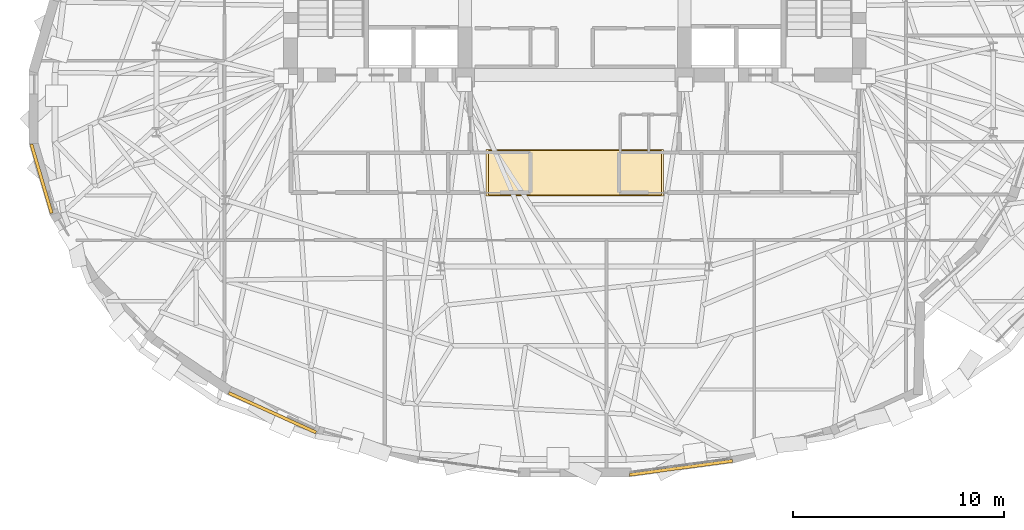
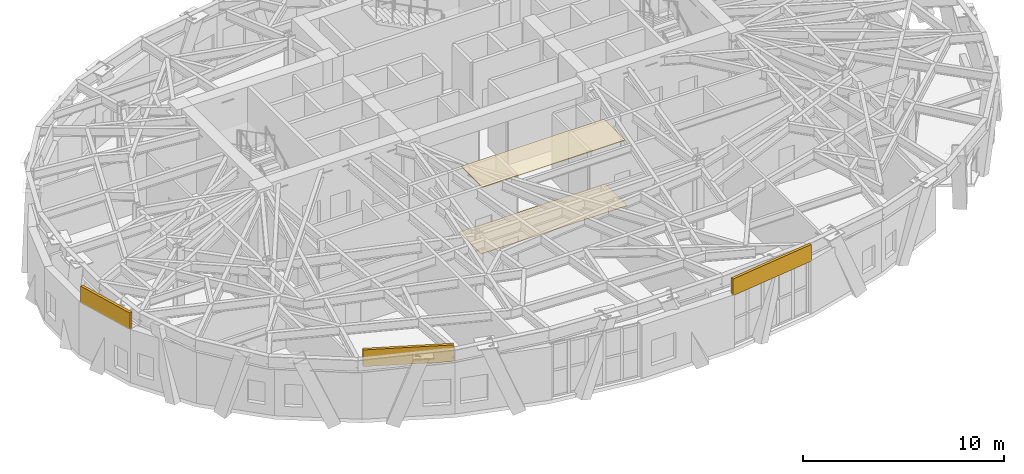
# One storey, part 13 of 16: 5 coverings.
"""IFC4 building model written with IfcOpenShell, lengths in metres."""

import ifcopenshell
import ifcopenshell.guid

model = None  # the IFC model being written
_history = None  # IfcOwnerHistory: only IFC2X3 demands one
_inside = {}  # id of a spatial element -> (the spatial element, [elements in it])
_under = {}  # id of a project, library or spatial element -> (it, [spatial elements below it])
_declared = {}  # id of a project -> (the project, [libraries it declares])
_typed = {}  # id of a type object -> (the type object, [elements of that type])
_made_of = {}  # id of a material, layer set ... -> (it, [elements and type objects made of it])


def new_model(schema):
    """Start an empty IFC model of exactly this schema.

    Asked for "IFC4X3", IfcOpenShell would pick the latest addendum, in which some entities
    have other attributes; the version numbers below select the first issue.
    IFC2X3 requires an IfcOwnerHistory on every rooted entity: one is made here for all.
    """
    global model, _history
    if schema == "IFC4X3":
        model = ifcopenshell.file(schema_version=(4, 3, 0, 0))
    else:
        model = ifcopenshell.file(schema=schema)
    _inside.clear()
    _under.clear()
    _declared.clear()
    _typed.clear()
    _made_of.clear()
    _history = None
    if model.schema == "IFC2X3":
        org = make("IfcOrganization", Name="unknown")
        user = make(
            "IfcPersonAndOrganization",
            ThePerson=make("IfcPerson", FamilyName="unknown"),
            TheOrganization=org,
        )
        app = make(
            "IfcApplication",
            ApplicationDeveloper=org,
            Version="unknown",
            ApplicationFullName="unknown",
            ApplicationIdentifier="unknown",
        )
        _history = make(
            "IfcOwnerHistory",
            OwningUser=user,
            OwningApplication=app,
            ChangeAction="ADDED",
            CreationDate=0,
        )
    return model


def make(cls, **values):
    """One entity of the class cls with the attributes given. An attribute that is None is left unset."""
    return model.create_entity(
        cls, **{name: value for name, value in values.items() if value is not None}
    )


def rooted(cls, **values):
    """An entity with a GlobalId (a new one), such as an element, a storey or a relation."""
    return make(cls, GlobalId=ifcopenshell.guid.new(), OwnerHistory=_history, **values)


def si_unit(unit_type, name, prefix=None):
    """IfcSIUnit, for example si_unit("LENGTHUNIT", "METRE", prefix="MILLI")."""
    return make("IfcSIUnit", UnitType=unit_type, Prefix=prefix, Name=name)


def assignment(units):
    """IfcUnitAssignment: the units of a project."""
    return None if units is None else make("IfcUnitAssignment", Units=units)


def point(xyz):
    """IfcCartesianPoint."""
    return None if xyz is None else make("IfcCartesianPoint", Coordinates=xyz)


def direction(xyz):
    """IfcDirection."""
    return None if xyz is None else make("IfcDirection", DirectionRatios=xyz)


def frame(location, z_axis=None, x_axis=None):
    """IfcAxis2Placement3D, a coordinate frame: its origin and axes. An axis left out is left unset."""
    return make(
        "IfcAxis2Placement3D",
        Location=point(location),
        Axis=direction(z_axis),
        RefDirection=direction(x_axis),
    )


def frame_2d(location, x_axis=None):
    """IfcAxis2Placement2D, a coordinate frame in the plane: its origin and x axis."""
    return make(
        "IfcAxis2Placement2D", Location=point(location), RefDirection=direction(x_axis)
    )


def origin():
    """The frame at (0, 0, 0) with its axes left unset."""
    return frame((0.0, 0.0, 0.0))


def origin_2d():
    """The frame at (0, 0) in the plane with its x axis left unset."""
    return frame_2d((0.0, 0.0))


def place(relative_to, where):
    """IfcLocalPlacement: puts the frame where relative to a parent placement (None: the world)."""
    return make(
        "IfcLocalPlacement", PlacementRelTo=relative_to, RelativePlacement=where
    )


def context(
    kind, dimensions, precision=None, world=None, true_north=None, identifier=None
):
    """IfcGeometricRepresentationContext, for example the 3D "Model" context."""
    return make(
        "IfcGeometricRepresentationContext",
        ContextIdentifier=identifier,
        ContextType=kind,
        CoordinateSpaceDimension=dimensions,
        Precision=precision,
        WorldCoordinateSystem=world,
        TrueNorth=true_north,
    )


def subcontext(parent, identifier, kind, view, scale=None):
    """IfcGeometricRepresentationSubContext, for example "Body" below "Model"."""
    return make(
        "IfcGeometricRepresentationSubContext",
        ContextIdentifier=identifier,
        ContextType=kind,
        ParentContext=parent,
        TargetScale=scale,
        TargetView=view,
    )


def project(units=None, contexts=None):
    """IfcProject with its units and contexts."""
    return rooted(
        "IfcProject",
        Name="project",
        RepresentationContexts=contexts,
        UnitsInContext=assignment(units),
    )


def spatial(cls, under=None, at=None, **own):
    """A site, building, storey or space (cls), placed at a placement, below another one or the project."""
    s = rooted(cls, ObjectPlacement=at, **own)
    if under is not None:
        _under.setdefault(under.id(), (under, []))[1].append(s)
    return s


def profile(cls, at=None, kind="AREA", **sizes):
    """A parametric profile (cls). Its sizes go by their IFC names, for example OverallWidth=200.0."""
    return make(cls, ProfileType=kind, Position=at, **sizes)


def rectangle(**sizes):
    """IfcRectangleProfileDef."""
    return profile("IfcRectangleProfileDef", **sizes)


def extrude(swept, where, along, depth):
    """IfcExtrudedAreaSolid: the profile swept, set in the frame where, extruded along a direction by depth."""
    return make(
        "IfcExtrudedAreaSolid",
        SweptArea=swept,
        Position=where,
        ExtrudedDirection=direction(along),
        Depth=depth,
    )


def shape(context_of_items, identifier, shape_type, items):
    """IfcShapeRepresentation: the items that make up one representation, for example the "Body"."""
    return make(
        "IfcShapeRepresentation",
        ContextOfItems=context_of_items,
        RepresentationIdentifier=identifier,
        RepresentationType=shape_type,
        Items=items,
    )


def material(Name=None, Category=None):
    """IfcMaterial."""
    return make("IfcMaterial", Name=Name, Category=Category)


def layer(
    of_material, thickness, ventilated=None, Name=None, Category=None, Priority=None
):
    """IfcMaterialLayer: one layer of a wall or slab, of a material (None: an air gap)."""
    return make(
        "IfcMaterialLayer",
        Material=of_material,
        LayerThickness=thickness,
        IsVentilated=ventilated,
        Name=Name,
        Category=Category,
        Priority=Priority,
    )


def layer_set(layers, Name=None):
    """IfcMaterialLayerSet."""
    return make("IfcMaterialLayerSet", MaterialLayers=layers, LayerSetName=Name)


def made_of(thing, what):
    """Note that an element or type object is made of a material, layer set ...; save() writes the relation."""
    if what is not None:
        _made_of.setdefault(what.id(), (what, []))[1].append(thing)
    return thing


def type_object(cls, material=None, **own):
    """A type object (cls), such as IfcWallType, which elements share."""
    return made_of(rooted(cls, **own), material)


def element(
    cls,
    number,
    at=None,
    inside=None,
    cuts=None,
    type_object=None,
    material=None,
    context=None,
    identifier="Body",
    shape_type=None,
    held_by="IfcProductDefinitionShape",
    body=None,
    shapes=None,
    **own,
):
    """One element of the class cls, such as IfcWall. Its Tag is "e" and its number.

    at: its placement. inside: the storey or other place that contains it. cuts: it is an
    opening in that element (IfcRelVoidsElement). A single representation is given by context,
    identifier, shape_type and body (its items); several are given by shapes. held_by: the class
    of the entity that holds the representations. save() writes the other relations.
    """
    e = rooted(cls, Tag="e%d" % number, ObjectPlacement=at, **own)
    if body is not None:
        shapes = [shape(context, identifier, shape_type, body)]
    if shapes is not None:
        e.Representation = make(held_by, Representations=shapes)
    if inside is not None:
        _inside.setdefault(inside.id(), (inside, []))[1].append(e)
    if cuts is not None:
        rooted(
            "IfcRelVoidsElement", RelatingBuildingElement=cuts, RelatedOpeningElement=e
        )
    if type_object is not None:
        _typed.setdefault(type_object.id(), (type_object, []))[1].append(e)
    return made_of(e, material)


def aggregate(whole, parts):
    """IfcRelAggregates: a whole, such as a stair, and the parts it consists of."""
    return rooted("IfcRelAggregates", RelatingObject=whole, RelatedObjects=parts)


def save(model, path):
    """Write the relations noted so far, then the file.

    IfcRelAggregates (storeys below a building ...), IfcRelContainedInSpatialStructure (elements
    in a storey), IfcRelDefinesByType, IfcRelAssociatesMaterial and IfcRelDeclares: one each for
    every whole, place, type object, material and project.
    """
    for whole, parts in _under.values():
        aggregate(whole, parts)
    for where, things in _inside.values():
        rooted(
            "IfcRelContainedInSpatialStructure",
            RelatedElements=things,
            RelatingStructure=where,
        )
    for kind, things in _typed.values():
        rooted("IfcRelDefinesByType", RelatedObjects=things, RelatingType=kind)
    for what, things in _made_of.values():
        rooted("IfcRelAssociatesMaterial", RelatedObjects=things, RelatingMaterial=what)
    for by, libraries in _declared.values():
        rooted("IfcRelDeclares", RelatingContext=by, RelatedDefinitions=libraries)
    model.write(path)


model = new_model("IFC4")

# Units and contexts
model_context = context("Model", 3, precision=1e-05, world=origin(), true_north=direction((0.0, 1.0)))
body_context = subcontext(model_context, "Body", "Model", "MODEL_VIEW")
ifc_project = project(units=[si_unit("LENGTHUNIT", "METRE"), si_unit("AREAUNIT", "SQUARE_METRE"), si_unit("VOLUMEUNIT", "CUBIC_METRE"), si_unit("PLANEANGLEUNIT", "RADIAN"), si_unit("MASSUNIT", "GRAM", prefix="KILO")], contexts=[model_context])

# Site, building, storey
site_placement = place(None, origin())
site = spatial("IfcSite", under=ifc_project, at=site_placement, CompositionType="ELEMENT")
building_placement = place(site_placement, origin())
building = spatial("IfcBuilding", under=site, at=building_placement, Name="Keldmark Tower", CompositionType="ELEMENT")
storey_placement = place(building_placement, frame((0.0, 0.0, 139.60009765625)))
storey = spatial("IfcBuildingStorey", under=building, at=storey_placement, Name="L37", CompositionType="ELEMENT", Elevation=139.60009765625)

# Coverings
ifc_material_1 = material(Name="Honed Kasota Buff Dolomitic Limestone", Category="masonry")
ifc_layer_1 = layer(ifc_material_1, 0.074951171875)
ifc_layer_set_1 = layer_set([ifc_layer_1], Name="Honed Kasota Buff Dolomitic Limestone")
covering_type_1 = type_object("IfcCoveringType", Name="Kasota Buff Limestone Spandrel Cladding Band", PredefinedType="CLADDING", material=ifc_layer_set_1)
covering_1_placement = place(storey_placement, frame((-25.27197265625, -3.389892578125, 3.161865234375), z_axis=(0.0, 0.0, 1.0), x_axis=(0.281654913929, -0.959515768218, 0.0)))
element("IfcCovering", 1, at=covering_1_placement, inside=storey, type_object=covering_type_1, Name="L37 Kasota Limestone Spandrel Band 17", PredefinedType="CLADDING", context=body_context, shape_type="SweptSolid", body=[
    extrude(rectangle(XDim=3.41064453125, YDim=0.14990234375, at=origin_2d()), origin(), (0.0, 0.0, 1.0), 1.01806640625),
])
covering_2_placement = place(storey_placement, frame((-14.329833984375, -14.479736328125, 3.161865234375), z_axis=(0.0, 0.0, 1.0), x_axis=(0.910950242101, -0.412516249881, 0.0)))
element("IfcCovering", 2, at=covering_2_placement, inside=storey, type_object=covering_type_1, Name="L37 Kasota Limestone Spandrel Band 21", PredefinedType="CLADDING", context=body_context, shape_type="SweptSolid", body=[
    extrude(rectangle(XDim=4.5322265625, YDim=0.14990234375, at=origin_2d()), origin(), (0.0, 0.0, 1.0), 1.01806640625),
])
covering_3_placement = place(storey_placement, frame((5.033203125, -17.089111328125, 3.161865234375), z_axis=(0.0, 0.0, 1.0), x_axis=(0.991034573663, 0.133605665318, 0.0)))
element("IfcCovering", 3, at=covering_3_placement, inside=storey, type_object=covering_type_1, Name="L37 Kasota Limestone Spandrel Band 25", PredefinedType="CLADDING", context=body_context, shape_type="SweptSolid", body=[
    extrude(rectangle(XDim=4.92431640625, YDim=0.14990234375, at=origin_2d()), origin(), (0.0, 0.0, 1.0), 1.01806640625),
])
ifc_material_2 = material(Name="Perforated Acoustic Gypsum and Recycled Mineral Wool", Category="gypsum")
ifc_layer_2 = layer(ifc_material_2, 0.044921875)
ifc_layer_set_2 = layer_set([ifc_layer_2], Name="Perforated Acoustic Gypsum and Recycled Mineral Wool")
covering_type_2 = type_object("IfcCoveringType", Name="Suspended Acoustic Mineral-Fiber Ceiling 45 mm", PredefinedType="CEILING", material=ifc_layer_set_2)
covering_4_placement = place(storey_placement, frame((0.0, -3.10009765625, 3.974853515625), z_axis=(0.0, 0.0, 1.0), x_axis=(1.0, 0.0, 0.0)))
element("IfcCovering", 4, at=covering_4_placement, inside=storey, type_object=covering_type_2, Name="L37 Lift Lobby Acoustic Ceiling", PredefinedType="CEILING", context=body_context, shape_type="SweptSolid", body=[
    extrude(rectangle(XDim=8.199951171875, YDim=2.10009765625, at=origin_2d()), origin(), (0.0, 0.0, 1.0), 0.044921875),
])
ifc_material_3 = material(Name="Honed Minnesota Dolomitic Limestone Epoxy Terrazzo", Category="masonry")
ifc_layer_3 = layer(ifc_material_3, 0.034912109375)
ifc_layer_set_3 = layer_set([ifc_layer_3], Name="Honed Minnesota Dolomitic Limestone Epoxy Terrazzo")
covering_type_3 = type_object("IfcCoveringType", Name="Terrazzo Public Lobby Flooring 35 mm", PredefinedType="FLOORING", material=ifc_layer_set_3)
covering_5_placement = place(storey_placement, frame((0.0, -3.10009765625, 0.0), z_axis=(0.0, 0.0, 1.0), x_axis=(1.0, 0.0, 0.0)))
element("IfcCovering", 5, at=covering_5_placement, inside=storey, type_object=covering_type_3, Name="L37 Lift Lobby Finish Flooring", PredefinedType="FLOORING", context=body_context, shape_type="SweptSolid", body=[
    extrude(rectangle(XDim=8.39990234375, YDim=2.199951171875, at=origin_2d()), origin(), (0.0, 0.0, 1.0), 0.030029296875),
])

save(model, "model.ifc")
